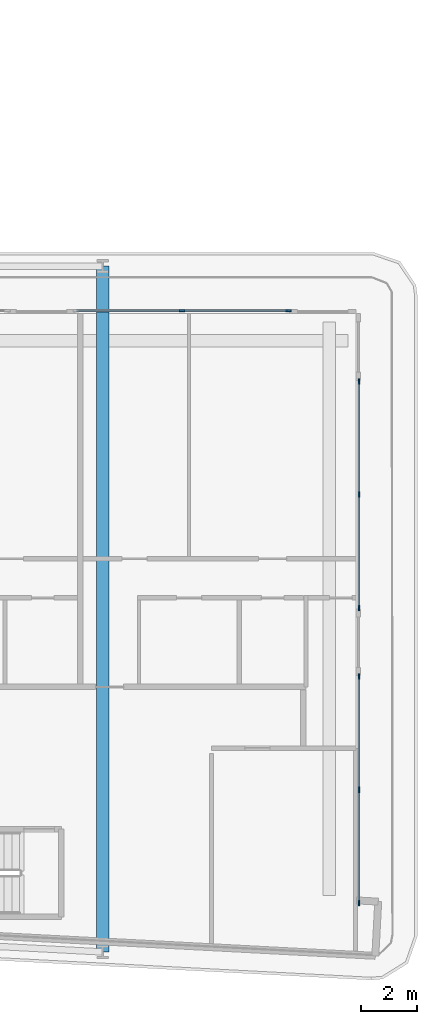
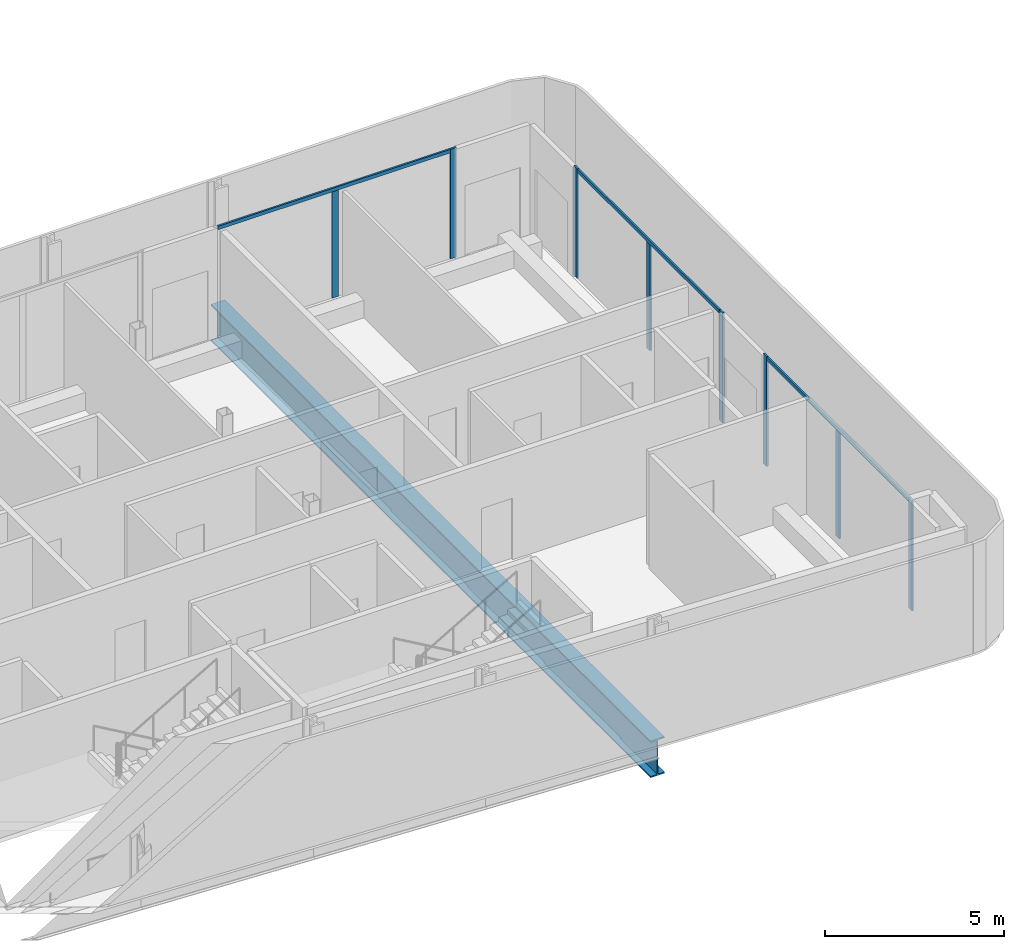
# One storey, part 8 of 27: 11 members, 1 beam, 3 elements without a shape of their own.
"""IFC4 building model written with IfcOpenShell, lengths in metres."""

from ifc_helpers import new_model, si_unit, direction, frame, origin, origin_2d, place, context, subcontext, project, spatial, rectangle, i_section, extrude, material, layer, layer_set, material_profile, profile_set, type_object, element, aggregate, save


model = new_model("IFC4")

# Units and contexts
model_context = context("Model", 3, precision=1e-05, world=origin(), true_north=direction((0.0, 1.0)))
body_context = subcontext(model_context, "Body", "Model", "MODEL_VIEW")
ifc_project = project(units=[si_unit("LENGTHUNIT", "METRE"), si_unit("AREAUNIT", "SQUARE_METRE"), si_unit("VOLUMEUNIT", "CUBIC_METRE"), si_unit("PLANEANGLEUNIT", "RADIAN"), si_unit("MASSUNIT", "GRAM", prefix="KILO")], contexts=[model_context])

# Site, building, storey
site_placement = place(None, origin())
site = spatial("IfcSite", under=ifc_project, at=site_placement, CompositionType="ELEMENT")
building_placement = place(site_placement, origin())
building = spatial("IfcBuilding", under=site, at=building_placement, Name="Kheshtan School and Residences Tower", CompositionType="ELEMENT")
storey_placement = place(building_placement, frame((0.0, 0.0, 57.800048828125)))
storey = spatial("IfcBuildingStorey", under=building, at=storey_placement, Name="L13", CompositionType="ELEMENT", Elevation=57.800048828125)

# Curtain wall, members
ifc_material_1 = material(Name="Clear low-e glass in thermally broken aluminium frame", Category="aluminium")
ifc_layer = layer(ifc_material_1, 0.199951171875)
ifc_layer_set = layer_set([ifc_layer], Name="Curtain wall CW-L")
curtain_wall_type = type_object("IfcCurtainWallType", Name="Curtain wall CW-L", PredefinedType="NOTDEFINED", material=ifc_layer_set)
curtain_wall_1_placement = place(storey_placement, origin())
curtain_wall_1 = element("IfcCurtainWall", 1, at=curtain_wall_1_placement, inside=storey, type_object=curtain_wall_type, Name="Curtain wall CWL12j", PredefinedType="NOTDEFINED")
ifc_material_2 = material(Name="Thermally broken aluminium, dark bronze anodised", Category="aluminium")
ifc_material_profile_1 = material_profile(ifc_material_2, rectangle(XDim=0.06005859375, YDim=0.199951171875, at=origin_2d()), Name="CW-L mullion 60x200")
ifc_profile_set_1 = profile_set([ifc_material_profile_1], Name="Thermally broken aluminium, dark bronze anodised")
member_type_1 = type_object("IfcMemberType", Name="CW-L mullion 60x200", PredefinedType="MULLION", material=ifc_profile_set_1)
member_1_placement = place(storey_placement, frame((93.653076171875, 44.0, 0.0), z_axis=(0.0, 0.0, 1.0), x_axis=(0.0, 1.0, 0.0)))
member_1 = element("IfcMember", 2, at=member_1_placement, type_object=member_type_1, Name="CWL12j mullion 2", PredefinedType="MULLION", context=body_context, shape_type="SweptSolid", body=[
    extrude(rectangle(XDim=0.06005859375, YDim=0.199951171875, at=origin_2d()), origin(), (0.0, 0.0, 1.0), 3.6298828125),
])
member_2_placement = place(storey_placement, frame((97.469970703125, 44.0, 0.0), z_axis=(0.0, 0.0, 1.0), x_axis=(0.0, 1.0, 0.0)))
member_2 = element("IfcMember", 3, at=member_2_placement, type_object=member_type_1, Name="CWL12j mullion 3", PredefinedType="MULLION", context=body_context, shape_type="SweptSolid", body=[
    extrude(rectangle(XDim=0.06005859375, YDim=0.199951171875, at=origin_2d()), origin(), (0.0, 0.0, 1.0), 3.75),
])

curtain_wall_2_placement = place(storey_placement, origin())
curtain_wall_2 = element("IfcCurtainWall", 4, at=curtain_wall_2_placement, inside=storey, type_object=curtain_wall_type, Name="Curtain wall CWL13b", PredefinedType="NOTDEFINED")
member_3_placement = place(storey_placement, frame((100.0, 41.469970703125, 0.0), z_axis=(0.0, 0.0, 1.0), x_axis=(1.0, 0.0, 0.0)))
member_3 = element("IfcMember", 5, at=member_3_placement, type_object=member_type_1, Name="CWL13b mullion 1", PredefinedType="MULLION", context=body_context, shape_type="SweptSolid", body=[
    extrude(rectangle(XDim=0.06005859375, YDim=0.199951171875, at=origin_2d()), origin(), (0.0, 0.0, 1.0), 3.75),
])
member_4_placement = place(storey_placement, frame((100.0, 37.403564453125, 0.0), z_axis=(0.0, 0.0, 1.0), x_axis=(1.0, 0.0, 0.0)))
member_4 = element("IfcMember", 6, at=member_4_placement, type_object=member_type_1, Name="CWL13b mullion 2", PredefinedType="MULLION", context=body_context, shape_type="SweptSolid", body=[
    extrude(rectangle(XDim=0.06005859375, YDim=0.199951171875, at=origin_2d()), origin(), (0.0, 0.0, 1.0), 3.6298828125),
])
member_5_placement = place(storey_placement, frame((100.0, 33.3369140625, 0.0), z_axis=(0.0, 0.0, 1.0), x_axis=(1.0, 0.0, 0.0)))
member_5 = element("IfcMember", 7, at=member_5_placement, type_object=member_type_1, Name="CWL13b mullion 3", PredefinedType="MULLION", context=body_context, shape_type="SweptSolid", body=[
    extrude(rectangle(XDim=0.06005859375, YDim=0.199951171875, at=origin_2d()), origin(), (0.0, 0.0, 1.0), 3.75),
])

curtain_wall_3_placement = place(storey_placement, origin())
curtain_wall_3 = element("IfcCurtainWall", 8, at=curtain_wall_3_placement, inside=storey, type_object=curtain_wall_type, Name="Curtain wall CWL13b", PredefinedType="NOTDEFINED")
member_6_placement = place(storey_placement, frame((100.0, 30.876953125, 0.0), z_axis=(0.0, 0.0, 1.0), x_axis=(1.0, 0.0, 0.0)))
member_6 = element("IfcMember", 9, at=member_6_placement, type_object=member_type_1, Name="CWL13b mullion 1", PredefinedType="MULLION", context=body_context, shape_type="SweptSolid", body=[
    extrude(rectangle(XDim=0.06005859375, YDim=0.199951171875, at=origin_2d()), origin(), (0.0, 0.0, 1.0), 3.75),
])
member_7_placement = place(storey_placement, frame((100.0, 26.810546875, 0.0), z_axis=(0.0, 0.0, 1.0), x_axis=(1.0, 0.0, 0.0)))
member_7 = element("IfcMember", 10, at=member_7_placement, type_object=member_type_1, Name="CWL13b mullion 2", PredefinedType="MULLION", context=body_context, shape_type="SweptSolid", body=[
    extrude(rectangle(XDim=0.06005859375, YDim=0.199951171875, at=origin_2d()), origin(), (0.0, 0.0, 1.0), 3.6298828125),
])
member_8_placement = place(storey_placement, frame((100.0, 22.743896484375, 0.0), z_axis=(0.0, 0.0, 1.0), x_axis=(1.0, 0.0, 0.0)))
member_8 = element("IfcMember", 11, at=member_8_placement, type_object=member_type_1, Name="CWL13b mullion 3", PredefinedType="MULLION", context=body_context, shape_type="SweptSolid", body=[
    extrude(rectangle(XDim=0.06005859375, YDim=0.199951171875, at=origin_2d()), origin(), (0.0, 0.0, 1.0), 3.75),
])

# Member
ifc_material_profile_2 = material_profile(ifc_material_2, rectangle(XDim=0.06005859375, YDim=0.1201171875, at=origin_2d()), Name="CW-L transom 60x120")
ifc_profile_set_2 = profile_set([ifc_material_profile_2], Name="Thermally broken aluminium, dark bronze anodised")
member_type_2 = type_object("IfcMemberType", Name="CW-L transom 60x120", PredefinedType="USERDEFINED", material=ifc_profile_set_2)
member_9_placement = place(storey_placement, frame((89.865966796875, 44.0, 3.68994140625), z_axis=(1.0, 0.0, 0.0), x_axis=(0.0, 1.0, 0.0)))
member_9 = element("IfcMember", 12, at=member_9_placement, type_object=member_type_2, Name="CWL12j transom 1", ObjectType="TRANSOM", PredefinedType="USERDEFINED", context=body_context, shape_type="SweptSolid", body=[
    extrude(rectangle(XDim=0.06005859375, YDim=0.1201171875, at=origin_2d()), origin(), (0.0, 0.0, 1.0), 7.573974609375),
])

aggregate(curtain_wall_1, [member_1, member_2, member_9])

member_10_placement = place(storey_placement, frame((100.0, 41.43994140625, 3.68994140625), z_axis=(0.0, -1.0, 0.0), x_axis=(1.0, 0.0, 0.0)))
member_10 = element("IfcMember", 13, at=member_10_placement, type_object=member_type_2, Name="CWL13b transom 1", ObjectType="TRANSOM", PredefinedType="USERDEFINED", context=body_context, shape_type="SweptSolid", body=[
    extrude(rectangle(XDim=0.06005859375, YDim=0.1201171875, at=origin_2d()), origin(), (0.0, 0.0, 1.0), 8.072998046875),
])

aggregate(curtain_wall_2, [member_3, member_4, member_5, member_10])

member_11_placement = place(storey_placement, frame((100.0, 30.846923828125, 3.68994140625), z_axis=(0.0, -1.0, 0.0), x_axis=(1.0, 0.0, 0.0)))
member_11 = element("IfcMember", 14, at=member_11_placement, type_object=member_type_2, Name="CWL13b transom 1", ObjectType="TRANSOM", PredefinedType="USERDEFINED", context=body_context, shape_type="SweptSolid", body=[
    extrude(rectangle(XDim=0.06005859375, YDim=0.1201171875, at=origin_2d()), origin(), (0.0, 0.0, 1.0), 8.072998046875),
])

aggregate(curtain_wall_3, [member_6, member_7, member_8, member_11])

# Beam
ifc_material_3 = material(Name="Steel ASTM A992 Grade 50", Category="steel")
ifc_material_profile_3 = material_profile(ifc_material_3, i_section(OverallWidth=0.449951171875, OverallDepth=1.25, WebThickness=0.02490234375, FlangeThickness=0.044921875, FilletRadius=0.03759765625, at=origin_2d()), Name="WWF1250x546")
ifc_profile_set_3 = profile_set([ifc_material_profile_3], Name="Steel ASTM A992 Grade 50")
beam_type = type_object("IfcBeamType", Name="Transfer girder TG4 WWF1250x546 ASTM A992 Grade 50", PredefinedType="BEAM", material=ifc_profile_set_3)
beam_placement = place(storey_placement, frame((90.800048828125, 45.60009765625, -0.775146484375), z_axis=(0.0, -1.0, 0.0), x_axis=(1.0, 0.0, 0.0)))
element("IfcBeam", 15, at=beam_placement, inside=storey, type_object=beam_type, Name="Transfer girder C068-C006", PredefinedType="BEAM", context=body_context, shape_type="SweptSolid", body=[
    extrude(i_section(OverallWidth=0.449951171875, OverallDepth=1.25, WebThickness=0.02490234375, FlangeThickness=0.044921875, FilletRadius=0.03759765625, at=origin_2d()), origin(), (0.0, 0.0, 1.0), 24.610107421875),
])

save(model, "model.ifc")
